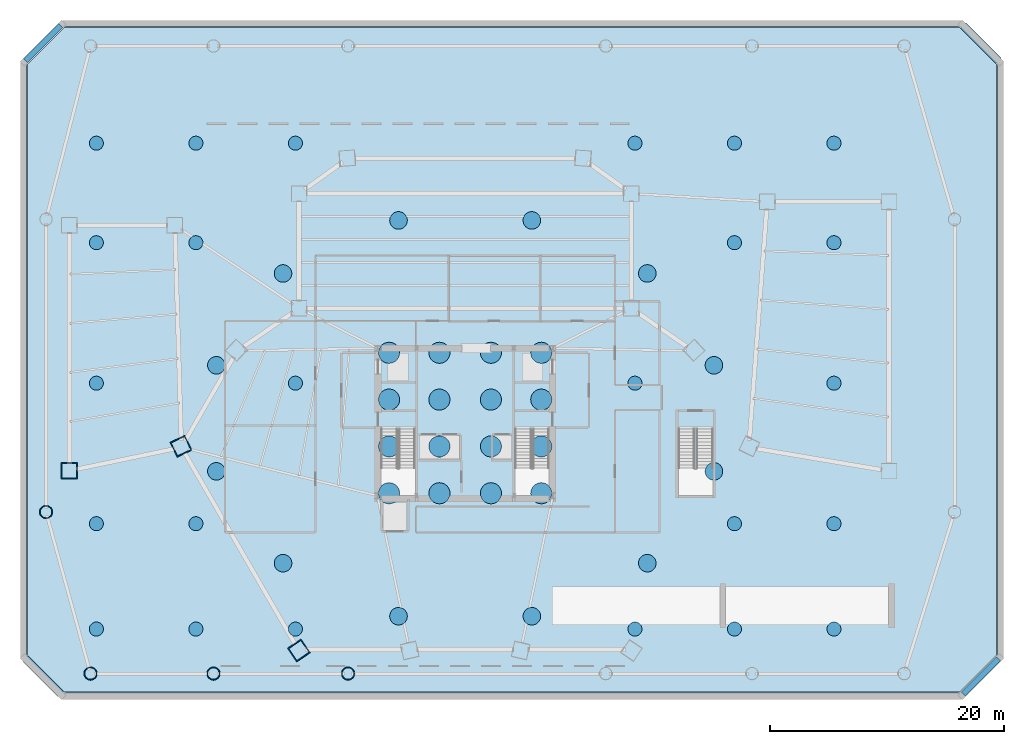
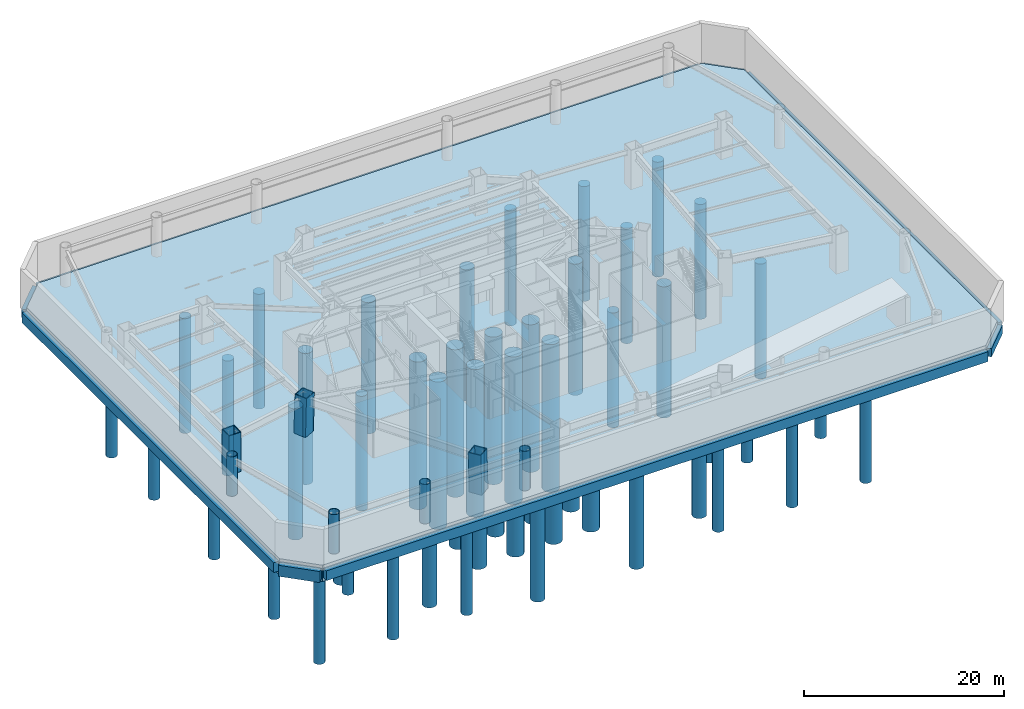
# One storey, part 1 of 11: 52 piles, 9 footings, 7 columns.
"""IFC4 building model written with IfcOpenShell, lengths in metres."""

import ifcopenshell
import ifcopenshell.guid

model = None  # the IFC model being written
_history = None  # IfcOwnerHistory: only IFC2X3 demands one
_inside = {}  # id of a spatial element -> (the spatial element, [elements in it])
_under = {}  # id of a project, library or spatial element -> (it, [spatial elements below it])
_declared = {}  # id of a project -> (the project, [libraries it declares])
_typed = {}  # id of a type object -> (the type object, [elements of that type])
_made_of = {}  # id of a material, layer set ... -> (it, [elements and type objects made of it])


def new_model(schema):
    """Start an empty IFC model of exactly this schema.

    Asked for "IFC4X3", IfcOpenShell would pick the latest addendum, in which some entities
    have other attributes; the version numbers below select the first issue.
    IFC2X3 requires an IfcOwnerHistory on every rooted entity: one is made here for all.
    """
    global model, _history
    if schema == "IFC4X3":
        model = ifcopenshell.file(schema_version=(4, 3, 0, 0))
    else:
        model = ifcopenshell.file(schema=schema)
    _inside.clear()
    _under.clear()
    _declared.clear()
    _typed.clear()
    _made_of.clear()
    _history = None
    if model.schema == "IFC2X3":
        org = make("IfcOrganization", Name="unknown")
        user = make(
            "IfcPersonAndOrganization",
            ThePerson=make("IfcPerson", FamilyName="unknown"),
            TheOrganization=org,
        )
        app = make(
            "IfcApplication",
            ApplicationDeveloper=org,
            Version="unknown",
            ApplicationFullName="unknown",
            ApplicationIdentifier="unknown",
        )
        _history = make(
            "IfcOwnerHistory",
            OwningUser=user,
            OwningApplication=app,
            ChangeAction="ADDED",
            CreationDate=0,
        )
    return model


def make(cls, **values):
    """One entity of the class cls with the attributes given. An attribute that is None is left unset."""
    return model.create_entity(
        cls, **{name: value for name, value in values.items() if value is not None}
    )


def rooted(cls, **values):
    """An entity with a GlobalId (a new one), such as an element, a storey or a relation."""
    return make(cls, GlobalId=ifcopenshell.guid.new(), OwnerHistory=_history, **values)


def si_unit(unit_type, name, prefix=None):
    """IfcSIUnit, for example si_unit("LENGTHUNIT", "METRE", prefix="MILLI")."""
    return make("IfcSIUnit", UnitType=unit_type, Prefix=prefix, Name=name)


def assignment(units):
    """IfcUnitAssignment: the units of a project."""
    return None if units is None else make("IfcUnitAssignment", Units=units)


def point(xyz):
    """IfcCartesianPoint."""
    return None if xyz is None else make("IfcCartesianPoint", Coordinates=xyz)


def direction(xyz):
    """IfcDirection."""
    return None if xyz is None else make("IfcDirection", DirectionRatios=xyz)


def frame(location, z_axis=None, x_axis=None):
    """IfcAxis2Placement3D, a coordinate frame: its origin and axes. An axis left out is left unset."""
    return make(
        "IfcAxis2Placement3D",
        Location=point(location),
        Axis=direction(z_axis),
        RefDirection=direction(x_axis),
    )


def frame_2d(location, x_axis=None):
    """IfcAxis2Placement2D, a coordinate frame in the plane: its origin and x axis."""
    return make(
        "IfcAxis2Placement2D", Location=point(location), RefDirection=direction(x_axis)
    )


def origin():
    """The frame at (0, 0, 0) with its axes left unset."""
    return frame((0.0, 0.0, 0.0))


def origin_2d():
    """The frame at (0, 0) in the plane with its x axis left unset."""
    return frame_2d((0.0, 0.0))


def place(relative_to, where):
    """IfcLocalPlacement: puts the frame where relative to a parent placement (None: the world)."""
    return make(
        "IfcLocalPlacement", PlacementRelTo=relative_to, RelativePlacement=where
    )


def context(
    kind, dimensions, precision=None, world=None, true_north=None, identifier=None
):
    """IfcGeometricRepresentationContext, for example the 3D "Model" context."""
    return make(
        "IfcGeometricRepresentationContext",
        ContextIdentifier=identifier,
        ContextType=kind,
        CoordinateSpaceDimension=dimensions,
        Precision=precision,
        WorldCoordinateSystem=world,
        TrueNorth=true_north,
    )


def subcontext(parent, identifier, kind, view, scale=None):
    """IfcGeometricRepresentationSubContext, for example "Body" below "Model"."""
    return make(
        "IfcGeometricRepresentationSubContext",
        ContextIdentifier=identifier,
        ContextType=kind,
        ParentContext=parent,
        TargetScale=scale,
        TargetView=view,
    )


def project(units=None, contexts=None):
    """IfcProject with its units and contexts."""
    return rooted(
        "IfcProject",
        Name="project",
        RepresentationContexts=contexts,
        UnitsInContext=assignment(units),
    )


def spatial(cls, under=None, at=None, **own):
    """A site, building, storey or space (cls), placed at a placement, below another one or the project."""
    s = rooted(cls, ObjectPlacement=at, **own)
    if under is not None:
        _under.setdefault(under.id(), (under, []))[1].append(s)
    return s


def polyline(points):
    """IfcPolyline through the points."""
    return make("IfcPolyline", Points=[point(p) for p in points])


def profile(cls, at=None, kind="AREA", **sizes):
    """A parametric profile (cls). Its sizes go by their IFC names, for example OverallWidth=200.0."""
    return make(cls, ProfileType=kind, Position=at, **sizes)


def rectangle(**sizes):
    """IfcRectangleProfileDef."""
    return profile("IfcRectangleProfileDef", **sizes)


def hollow_rectangle(**sizes):
    """IfcRectangleHollowProfileDef."""
    return profile("IfcRectangleHollowProfileDef", **sizes)


def circle(**sizes):
    """IfcCircleProfileDef."""
    return profile("IfcCircleProfileDef", **sizes)


def hollow_circle(**sizes):
    """IfcCircleHollowProfileDef."""
    return profile("IfcCircleHollowProfileDef", **sizes)


def outline(outer, holes=None, kind="AREA"):
    """IfcArbitraryClosedProfileDef: a profile drawn as a closed curve; with holes, ...WithVoids."""
    if holes is None:
        return make("IfcArbitraryClosedProfileDef", ProfileType=kind, OuterCurve=outer)
    return make(
        "IfcArbitraryProfileDefWithVoids",
        ProfileType=kind,
        OuterCurve=outer,
        InnerCurves=holes,
    )


def extrude(swept, where, along, depth):
    """IfcExtrudedAreaSolid: the profile swept, set in the frame where, extruded along a direction by depth."""
    return make(
        "IfcExtrudedAreaSolid",
        SweptArea=swept,
        Position=where,
        ExtrudedDirection=direction(along),
        Depth=depth,
    )


def shape(context_of_items, identifier, shape_type, items):
    """IfcShapeRepresentation: the items that make up one representation, for example the "Body"."""
    return make(
        "IfcShapeRepresentation",
        ContextOfItems=context_of_items,
        RepresentationIdentifier=identifier,
        RepresentationType=shape_type,
        Items=items,
    )


def source(mapping_origin, context_of_items, identifier, shape_type, items):
    """IfcRepresentationMap: a shape defined once, which mapped items show again and again."""
    return make(
        "IfcRepresentationMap",
        MappingOrigin=mapping_origin,
        MappedRepresentation=shape(context_of_items, identifier, shape_type, items),
    )


def transform(
    local_origin,
    x_axis=None,
    y_axis=None,
    z_axis=None,
    scale=None,
    scale2=None,
    scale3=None,
    uniform=True,
):
    """IfcCartesianTransformationOperator3D, or its non-uniform kind. x_axis, y_axis, z_axis: its Axis1, 2, 3."""
    if uniform:
        return make(
            "IfcCartesianTransformationOperator3D",
            Axis1=direction(x_axis),
            Axis2=direction(y_axis),
            LocalOrigin=point(local_origin),
            Scale=scale,
            Axis3=direction(z_axis),
        )
    return make(
        "IfcCartesianTransformationOperator3DnonUniform",
        Axis1=direction(x_axis),
        Axis2=direction(y_axis),
        LocalOrigin=point(local_origin),
        Scale=scale,
        Axis3=direction(z_axis),
        Scale2=scale2,
        Scale3=scale3,
    )


def mapped(mapping_source, mapping_target):
    """IfcMappedItem: shows the shape of a source again, moved by a transform."""
    return make(
        "IfcMappedItem", MappingSource=mapping_source, MappingTarget=mapping_target
    )


def material(Name=None, Category=None):
    """IfcMaterial."""
    return make("IfcMaterial", Name=Name, Category=Category)


def material_profile(
    of_material, cross_section, Name=None, Category=None, Priority=None
):
    """IfcMaterialProfile: a cross section and its material."""
    return make(
        "IfcMaterialProfile",
        Name=Name,
        Material=of_material,
        Profile=cross_section,
        Priority=Priority,
        Category=Category,
    )


def profile_set(profiles, Name=None, composite=None):
    """IfcMaterialProfileSet."""
    return make(
        "IfcMaterialProfileSet",
        Name=Name,
        MaterialProfiles=profiles,
        CompositeProfile=composite,
    )


def made_of(thing, what):
    """Note that an element or type object is made of a material, layer set ...; save() writes the relation."""
    if what is not None:
        _made_of.setdefault(what.id(), (what, []))[1].append(thing)
    return thing


def type_object(cls, material=None, **own):
    """A type object (cls), such as IfcWallType, which elements share."""
    return made_of(rooted(cls, **own), material)


def type_shapes(of_type, sources):
    """Give a type object the sources (RepresentationMaps) that its elements show as mapped items."""
    of_type.RepresentationMaps = sources


def element(
    cls,
    number,
    at=None,
    inside=None,
    cuts=None,
    type_object=None,
    material=None,
    context=None,
    identifier="Body",
    shape_type=None,
    held_by="IfcProductDefinitionShape",
    body=None,
    shapes=None,
    **own,
):
    """One element of the class cls, such as IfcWall. Its Tag is "e" and its number.

    at: its placement. inside: the storey or other place that contains it. cuts: it is an
    opening in that element (IfcRelVoidsElement). A single representation is given by context,
    identifier, shape_type and body (its items); several are given by shapes. held_by: the class
    of the entity that holds the representations. save() writes the other relations.
    """
    e = rooted(cls, Tag="e%d" % number, ObjectPlacement=at, **own)
    if body is not None:
        shapes = [shape(context, identifier, shape_type, body)]
    if shapes is not None:
        e.Representation = make(held_by, Representations=shapes)
    if inside is not None:
        _inside.setdefault(inside.id(), (inside, []))[1].append(e)
    if cuts is not None:
        rooted(
            "IfcRelVoidsElement", RelatingBuildingElement=cuts, RelatedOpeningElement=e
        )
    if type_object is not None:
        _typed.setdefault(type_object.id(), (type_object, []))[1].append(e)
    return made_of(e, material)


def aggregate(whole, parts):
    """IfcRelAggregates: a whole, such as a stair, and the parts it consists of."""
    return rooted("IfcRelAggregates", RelatingObject=whole, RelatedObjects=parts)


def save(model, path):
    """Write the relations noted so far, then the file.

    IfcRelAggregates (storeys below a building ...), IfcRelContainedInSpatialStructure (elements
    in a storey), IfcRelDefinesByType, IfcRelAssociatesMaterial and IfcRelDeclares: one each for
    every whole, place, type object, material and project.
    """
    for whole, parts in _under.values():
        aggregate(whole, parts)
    for where, things in _inside.values():
        rooted(
            "IfcRelContainedInSpatialStructure",
            RelatedElements=things,
            RelatingStructure=where,
        )
    for kind, things in _typed.values():
        rooted("IfcRelDefinesByType", RelatedObjects=things, RelatingType=kind)
    for what, things in _made_of.values():
        rooted("IfcRelAssociatesMaterial", RelatedObjects=things, RelatingMaterial=what)
    for by, libraries in _declared.values():
        rooted("IfcRelDeclares", RelatingContext=by, RelatedDefinitions=libraries)
    model.write(path)


model = new_model("IFC4")

# Units and contexts
model_context = context("Model", 3, precision=1e-05, world=origin(), true_north=direction((0.0, 1.0)))
body_context = subcontext(model_context, "Body", "Model", "MODEL_VIEW")
ifc_project = project(units=[si_unit("LENGTHUNIT", "METRE"), si_unit("AREAUNIT", "SQUARE_METRE"), si_unit("VOLUMEUNIT", "CUBIC_METRE"), si_unit("PLANEANGLEUNIT", "RADIAN"), si_unit("MASSUNIT", "GRAM", prefix="KILO")], contexts=[model_context])

# Site, building, storey
site_placement = place(None, origin())
site = spatial("IfcSite", under=ifc_project, at=site_placement, CompositionType="ELEMENT")
building_placement = place(site_placement, origin())
building = spatial("IfcBuilding", under=site, at=building_placement, Name="Caelisora Broadcast Tower", CompositionType="ELEMENT")
storey_placement = place(building_placement, frame((0.0, 0.0, -4.800048828125)))
storey = spatial("IfcBuildingStorey", under=building, at=storey_placement, Name="B1", CompositionType="ELEMENT", Elevation=-4.800048828125)

# Footing
ifc_material_1 = material(Name="Concrete 50 MPa (AS 3600 S50)", Category="concrete")
footing_type_1 = type_object("IfcFootingType", Name="FT-RAFT", PredefinedType="PILE_CAP", material=ifc_material_1)
footing_placement = place(storey_placement, frame((0.0, 0.0, -2.0)))
element("IfcFooting", 1, at=footing_placement, inside=storey, type_object=footing_type_1, Name="B1 piled raft foundation FT-RAFT", PredefinedType="PILE_CAP", context=body_context, shape_type="SweptSolid", body=[
    extrude(outline(polyline([(3.757080078125, 0.6201171875), (0.6201171875, 3.757080078125), (0.6201171875, 54.242919921875), (3.757080078125, 57.3798828125), (80.242919921875, 57.3798828125), (83.3798828125, 54.242919921875), (83.3798828125, 3.757080078125), (80.242919921875, 0.6201171875), (3.757080078125, 0.6201171875)])), origin(), (0.0, 0.0, 1.0), 2.0),
])

# Piles
ifc_material_profile_1 = material_profile(ifc_material_1, circle(Radius=0.60009765625, at=origin_2d()), Name="Concrete 50 MPa (AS 3600 S50)")
ifc_profile_set_1 = profile_set([ifc_material_profile_1], Name="Concrete 50 MPa (AS 3600 S50)")
pile_type_1 = type_object("IfcPileType", Name="PL-12", PredefinedType="BORED", material=ifc_profile_set_1)
for number, where, z_axis, x_axis, name in (
    (2, (6.5, 6.0, -1.89990234375), (0.0, 0.0, -1.0), (1.0, 0.0, 0.0), "B1 bored pile PL-12 #29"),
    (3, (6.5, 15.0, -1.89990234375), (0.0, 0.0, -1.0), (1.0, 0.0, 0.0), "B1 bored pile PL-12 #30"),
    (4, (6.5, 27.0, -1.89990234375), (0.0, 0.0, -1.0), (1.0, 0.0, 0.0), "B1 bored pile PL-12 #31"),
    (5, (6.5, 39.0, -1.89990234375), (0.0, 0.0, -1.0), (1.0, 0.0, 0.0), "B1 bored pile PL-12 #32"),
    (6, (6.5, 47.5, -1.89990234375), (0.0, 0.0, -1.0), (1.0, 0.0, 0.0), "B1 bored pile PL-12 #33"),
    (7, (15.0, 6.0, -1.89990234375), (0.0, 0.0, -1.0), (1.0, 0.0, 0.0), "B1 bored pile PL-12 #34"),
    (8, (15.0, 15.0, -1.89990234375), (0.0, 0.0, -1.0), (1.0, 0.0, 0.0), "B1 bored pile PL-12 #35"),
    (9, (15.0, 39.0, -1.89990234375), (0.0, 0.0, -1.0), (1.0, 0.0, 0.0), "B1 bored pile PL-12 #36"),
    (10, (15.0, 47.5, -1.89990234375), (0.0, 0.0, -1.0), (1.0, 0.0, 0.0), "B1 bored pile PL-12 #37"),
    (11, (23.5, 6.0, -1.89990234375), (0.0, 0.0, -1.0), (1.0, 0.0, 0.0), "B1 bored pile PL-12 #38"),
    (12, (23.5, 27.0, -1.89990234375), (0.0, 0.0, -1.0), (1.0, 0.0, 0.0), "B1 bored pile PL-12 #39"),
    (13, (23.5, 47.5, -1.89990234375), (0.0, 0.0, -1.0), (1.0, 0.0, 0.0), "B1 bored pile PL-12 #40"),
    (14, (52.5, 6.0, -1.89990234375), (0.0, 0.0, -1.0), (1.0, 0.0, 0.0), "B1 bored pile PL-12 #41"),
    (15, (52.5, 27.0, -1.89990234375), (0.0, 0.0, -1.0), (1.0, 0.0, 0.0), "B1 bored pile PL-12 #42"),
    (16, (52.5, 47.5, -1.89990234375), (0.0, 0.0, -1.0), (1.0, 0.0, 0.0), "B1 bored pile PL-12 #43"),
    (17, (61.0, 6.0, -1.89990234375), (0.0, 0.0, -1.0), (1.0, 0.0, 0.0), "B1 bored pile PL-12 #44"),
    (18, (61.0, 15.0, -1.89990234375), (0.0, 0.0, -1.0), (1.0, 0.0, 0.0), "B1 bored pile PL-12 #45"),
    (19, (61.0, 39.0, -1.89990234375), (0.0, 0.0, -1.0), (1.0, 0.0, 0.0), "B1 bored pile PL-12 #46"),
    (20, (61.0, 47.5, -1.89990234375), (0.0, 0.0, -1.0), (1.0, 0.0, 0.0), "B1 bored pile PL-12 #47"),
    (21, (69.5, 6.0, -1.89990234375), (0.0, 0.0, -1.0), (1.0, 0.0, 0.0), "B1 bored pile PL-12 #48"),
    (22, (69.5, 15.0, -1.89990234375), (0.0, 0.0, -1.0), (1.0, 0.0, 0.0), "B1 bored pile PL-12 #49"),
    (23, (69.5, 27.0, -1.89990234375), (0.0, 0.0, -1.0), (1.0, 0.0, 0.0), "B1 bored pile PL-12 #50"),
    (24, (69.5, 39.0, -1.89990234375), (0.0, 0.0, -1.0), (1.0, 0.0, 0.0), "B1 bored pile PL-12 #51"),
    (25, (69.5, 47.5, -1.89990234375), (0.0, 0.0, -1.0), (1.0, 0.0, 0.0), "B1 bored pile PL-12 #52"),
):
    element("IfcPile", number, at=place(storey_placement, frame(where, z_axis=z_axis, x_axis=x_axis)), inside=storey, type_object=pile_type_1, Name=name, PredefinedType="BORED", context=body_context, shape_type="SweptSolid", body=[
        extrude(circle(Radius=0.60009765625, at=origin_2d()), origin(), (0.0, 0.0, 1.0), 14.0),
    ])
ifc_material_profile_2 = material_profile(ifc_material_1, circle(Radius=0.75, at=origin_2d()), Name="Concrete 50 MPa (AS 3600 S50)")
ifc_profile_set_2 = profile_set([ifc_material_profile_2], Name="Concrete 50 MPa (AS 3600 S50)")
pile_type_2 = type_object("IfcPileType", Name="PL-15", PredefinedType="BORED", material=ifc_profile_set_2)
for number, where, z_axis, x_axis, name in (
    (26, (59.25, 28.529052734375, -1.89990234375), (0.0, 0.0, -1.0), (1.0, 0.0, 0.0), "B1 bored pile PL-15 #17"),
    (27, (53.555908203125, 36.3740234375, -1.89990234375), (0.0, 0.0, -1.0), (1.0, 0.0, 0.0), "B1 bored pile PL-15 #18"),
    (28, (43.694091796875, 40.904052734375, -1.89990234375), (0.0, 0.0, -1.0), (1.0, 0.0, 0.0), "B1 bored pile PL-15 #19"),
    (29, (32.305908203125, 40.904052734375, -1.89990234375), (0.0, 0.0, -1.0), (1.0, 0.0, 0.0), "B1 bored pile PL-15 #20"),
    (30, (22.444091796875, 36.3740234375, -1.89990234375), (0.0, 0.0, -1.0), (1.0, 0.0, 0.0), "B1 bored pile PL-15 #21"),
    (31, (16.75, 28.529052734375, -1.89990234375), (0.0, 0.0, -1.0), (1.0, 0.0, 0.0), "B1 bored pile PL-15 #22"),
    (32, (16.75, 19.470947265625, -1.89990234375), (0.0, 0.0, -1.0), (1.0, 0.0, 0.0), "B1 bored pile PL-15 #23"),
    (33, (22.444091796875, 11.6259765625, -1.89990234375), (0.0, 0.0, -1.0), (1.0, 0.0, 0.0), "B1 bored pile PL-15 #24"),
    (34, (32.305908203125, 7.095947265625, -1.89990234375), (0.0, 0.0, -1.0), (1.0, 0.0, 0.0), "B1 bored pile PL-15 #25"),
    (35, (43.694091796875, 7.095947265625, -1.89990234375), (0.0, 0.0, -1.0), (1.0, 0.0, 0.0), "B1 bored pile PL-15 #26"),
    (36, (53.555908203125, 11.6259765625, -1.89990234375), (0.0, 0.0, -1.0), (1.0, 0.0, 0.0), "B1 bored pile PL-15 #27"),
    (37, (59.25, 19.470947265625, -1.89990234375), (0.0, 0.0, -1.0), (1.0, 0.0, 0.0), "B1 bored pile PL-15 #28"),
):
    element("IfcPile", number, at=place(storey_placement, frame(where, z_axis=z_axis, x_axis=x_axis)), inside=storey, type_object=pile_type_2, Name=name, PredefinedType="BORED", context=body_context, shape_type="SweptSolid", body=[
        extrude(circle(Radius=0.75, at=origin_2d()), origin(), (0.0, 0.0, 1.0), 16.0),
    ])
ifc_material_profile_3 = material_profile(ifc_material_1, circle(Radius=0.89990234375, at=origin_2d()), Name="Concrete 50 MPa (AS 3600 S50)")
ifc_profile_set_3 = profile_set([ifc_material_profile_3], Name="Concrete 50 MPa (AS 3600 S50)")
pile_type_3 = type_object("IfcPileType", Name="PL-18", PredefinedType="BORED", material=ifc_profile_set_3)
for number, where, z_axis, x_axis, name in (
    (38, (31.5, 17.60009765625, -1.89990234375), (0.0, 0.0, -1.0), (1.0, 0.0, 0.0), "B1 bored pile PL-18 #01"),
    (39, (31.5, 21.60009765625, -1.89990234375), (0.0, 0.0, -1.0), (1.0, 0.0, 0.0), "B1 bored pile PL-18 #02"),
    (40, (31.5, 25.60009765625, -1.89990234375), (0.0, 0.0, -1.0), (1.0, 0.0, 0.0), "B1 bored pile PL-18 #03"),
    (41, (31.5, 29.60009765625, -1.89990234375), (0.0, 0.0, -1.0), (1.0, 0.0, 0.0), "B1 bored pile PL-18 #04"),
    (42, (35.800048828125, 17.60009765625, -1.89990234375), (0.0, 0.0, -1.0), (1.0, 0.0, 0.0), "B1 bored pile PL-18 #05"),
    (43, (35.800048828125, 21.60009765625, -1.89990234375), (0.0, 0.0, -1.0), (1.0, 0.0, 0.0), "B1 bored pile PL-18 #06"),
    (44, (35.800048828125, 25.60009765625, -1.89990234375), (0.0, 0.0, -1.0), (1.0, 0.0, 0.0), "B1 bored pile PL-18 #07"),
    (45, (35.800048828125, 29.60009765625, -1.89990234375), (0.0, 0.0, -1.0), (1.0, 0.0, 0.0), "B1 bored pile PL-18 #08"),
    (46, (40.199951171875, 17.60009765625, -1.89990234375), (0.0, 0.0, -1.0), (1.0, 0.0, 0.0), "B1 bored pile PL-18 #09"),
    (47, (40.199951171875, 21.60009765625, -1.89990234375), (0.0, 0.0, -1.0), (1.0, 0.0, 0.0), "B1 bored pile PL-18 #10"),
    (48, (40.199951171875, 25.60009765625, -1.89990234375), (0.0, 0.0, -1.0), (1.0, 0.0, 0.0), "B1 bored pile PL-18 #11"),
    (49, (40.199951171875, 29.60009765625, -1.89990234375), (0.0, 0.0, -1.0), (1.0, 0.0, 0.0), "B1 bored pile PL-18 #12"),
    (50, (44.5, 17.60009765625, -1.89990234375), (0.0, 0.0, -1.0), (1.0, 0.0, 0.0), "B1 bored pile PL-18 #13"),
    (51, (44.5, 21.60009765625, -1.89990234375), (0.0, 0.0, -1.0), (1.0, 0.0, 0.0), "B1 bored pile PL-18 #14"),
    (52, (44.5, 25.60009765625, -1.89990234375), (0.0, 0.0, -1.0), (1.0, 0.0, 0.0), "B1 bored pile PL-18 #15"),
    (53, (44.5, 29.60009765625, -1.89990234375), (0.0, 0.0, -1.0), (1.0, 0.0, 0.0), "B1 bored pile PL-18 #16"),
):
    element("IfcPile", number, at=place(storey_placement, frame(where, z_axis=z_axis, x_axis=x_axis)), inside=storey, type_object=pile_type_3, Name=name, PredefinedType="BORED", context=body_context, shape_type="SweptSolid", body=[
        extrude(circle(Radius=0.89990234375, at=origin_2d()), origin(), (0.0, 0.0, 1.0), 18.0),
    ])

# Footings
ifc_material_2 = material(Name="Concrete 40 MPa (AS 3600 N40)", Category="concrete")
footing_type_2 = type_object("IfcFootingType", Name="FT-GB1", PredefinedType="FOOTING_BEAM", material=ifc_material_2)
shared_shape_1 = source(origin(), body_context, "Body", "SweptSolid", [
    extrude(rectangle(XDim=76.300048828125, YDim=0.580078125, at=origin_2d()), origin(), (0.0, 0.0, 1.0), 1.199951171875),
])
for number, where, z_axis, x_axis, name in (
    (54, (42.0, 0.2900390625, -1.5498046875), (0.0, 0.0, 1.0), (1.0, 0.0, 0.0), "B1 perimeter ground beam FT-GB1 #1"),
    (55, (42.0, 57.7099609375, -1.5498046875), (0.0, 0.0, 1.0), (-1.0, 0.0, 0.0), "B1 perimeter ground beam FT-GB1 #5"),
):
    element("IfcFooting", number, at=place(storey_placement, frame(where, z_axis=z_axis, x_axis=x_axis)), inside=storey, type_object=footing_type_2, Name=name, PredefinedType="FOOTING_BEAM", context=body_context, shape_type="MappedRepresentation", body=[
        mapped(shared_shape_1, transform((0.0, 0.0, 0.0), scale=1.0)),
    ])
footing_type_3 = type_object("IfcFootingType", Name="FT-GB2", PredefinedType="FOOTING_BEAM", material=ifc_material_2)
shared_shape_2 = source(origin(), body_context, "Body", "SweptSolid", [
    extrude(rectangle(XDim=4.249755859375, YDim=0.5, at=origin_2d()), origin(), (0.0, 0.0, 1.0), 1.0),
])
type_shapes(footing_type_3, [shared_shape_2])
for number, where, z_axis, x_axis, name in (
    (56, (82.044921875, 1.955078125, -1.349853515625), (0.0, 0.0, 1.0), (0.707106781187, 0.707106781187, 0.0), "B1 perimeter ground beam FT-GB2 #2"),
    (57, (1.955078125, 56.044921875, -1.349853515625), (0.0, 0.0, 1.0), (-0.707106781187, -0.707106781187, 0.0), "B1 perimeter ground beam FT-GB2 #6"),
):
    element("IfcFooting", number, at=place(storey_placement, frame(where, z_axis=z_axis, x_axis=x_axis)), inside=storey, type_object=footing_type_3, Name=name, PredefinedType="FOOTING_BEAM", context=body_context, shape_type="MappedRepresentation", body=[
        mapped(shared_shape_2, transform((0.0, 0.0, 0.0), scale=1.0)),
    ])
shared_shape_3 = source(origin(), body_context, "Body", "SweptSolid", [
    extrude(rectangle(XDim=50.300048828125, YDim=0.580078125, at=origin_2d()), origin(), (0.0, 0.0, 1.0), 1.199951171875),
])
type_shapes(footing_type_2, [shared_shape_1, shared_shape_3])
for number, where, z_axis, x_axis, name in (
    (58, (83.7099609375, 29.0, -1.5498046875), (0.0, 0.0, 1.0), (0.0, 1.0, 0.0), "B1 perimeter ground beam FT-GB1 #3"),
    (59, (0.2900390625, 29.0, -1.5498046875), (0.0, 0.0, 1.0), (0.0, -1.0, 0.0), "B1 perimeter ground beam FT-GB1 #7"),
):
    element("IfcFooting", number, at=place(storey_placement, frame(where, z_axis=z_axis, x_axis=x_axis)), inside=storey, type_object=footing_type_2, Name=name, PredefinedType="FOOTING_BEAM", context=body_context, shape_type="MappedRepresentation", body=[
        mapped(shared_shape_3, transform((0.0, 0.0, 0.0), scale=1.0)),
    ])
footing_type_4 = type_object("IfcFootingType", Name="FT-GB3", PredefinedType="FOOTING_BEAM", material=ifc_material_2)
shared_shape_4 = source(origin(), body_context, "Body", "SweptSolid", [
    extrude(rectangle(XDim=4.249755859375, YDim=0.64990234375, at=origin_2d()), origin(), (0.0, 0.0, 1.0), 1.35009765625),
])
type_shapes(footing_type_4, [shared_shape_4])
for number, where, z_axis, x_axis, name in (
    (60, (82.044921875, 56.044921875, -1.699951171875), (0.0, 0.0, 1.0), (-0.707106781187, 0.707106781187, 0.0), "B1 perimeter ground beam FT-GB3 #4"),
    (61, (1.955078125, 1.955078125, -1.699951171875), (0.0, 0.0, 1.0), (0.707106781187, -0.707106781187, 0.0), "B1 perimeter ground beam FT-GB3 #8"),
):
    element("IfcFooting", number, at=place(storey_placement, frame(where, z_axis=z_axis, x_axis=x_axis)), inside=storey, type_object=footing_type_4, Name=name, PredefinedType="FOOTING_BEAM", context=body_context, shape_type="MappedRepresentation", body=[
        mapped(shared_shape_4, transform((0.0, 0.0, 0.0), scale=1.0)),
    ])

# Columns
ifc_material_3 = material(Name="Steel Grade 350 L15 (AS/NZS 3678)", Category="steel")
ifc_material_profile_4 = material_profile(ifc_material_3, hollow_rectangle(XDim=1.39990234375, YDim=1.39990234375, WallThickness=0.080078125, at=origin_2d()), Name="Steel Grade 350 L15 (AS/NZS 3678)")
ifc_profile_set_4 = profile_set([ifc_material_profile_4], Name="Steel Grade 350 L15 (AS/NZS 3678)")
column_type_1 = type_object("IfcColumnType", Name="MC01", PredefinedType="COLUMN", material=ifc_profile_set_4)
shared_shape_5 = source(origin(), body_context, "Body", "SweptSolid", [
    extrude(hollow_rectangle(XDim=1.39990234375, YDim=1.39990234375, WallThickness=0.080078125, at=origin_2d()), origin(), (0.0, 0.0, 1.0), 4.801513671875),
])
for number, where, z_axis, x_axis, name in (
    (62, (13.718505859375, 21.626708984375, 0.0), (0.01042374304, -0.021559351459, 0.999713228854), (0.900293483537, 0.435283405956, 0.0), "B1 column MC01"),
    (63, (23.8037109375, 4.158203125, 0.0), (-0.013423747222, 0.019830535668, 0.999713235316), (-0.828109472136, -0.560566411907, 0.0), "B1 column MC01"),
):
    element("IfcColumn", number, at=place(storey_placement, frame(where, z_axis=z_axis, x_axis=x_axis)), inside=storey, type_object=column_type_1, Name=name, PredefinedType="COLUMN", context=body_context, shape_type="MappedRepresentation", body=[
        mapped(shared_shape_5, transform((0.0, 0.0, 0.0), scale=1.0)),
    ])
shared_shape_6 = source(origin(), body_context, "Body", "SweptSolid", [
    extrude(hollow_rectangle(XDim=1.39990234375, YDim=1.39990234375, WallThickness=0.080078125, at=origin_2d()), origin(), (0.0, 0.0, 1.0), 4.800048828125),
])
type_shapes(column_type_1, [shared_shape_5, shared_shape_6])
column_placement = place(storey_placement, frame((4.199951171875, 19.52587890625, 0.0), z_axis=(0.0, 0.0, 1.0), x_axis=(1.0, 0.0, 0.0)))
element("IfcColumn", 64, at=column_placement, inside=storey, type_object=column_type_1, Name="B1 column MC01", PredefinedType="COLUMN", context=body_context, shape_type="MappedRepresentation", body=[
    mapped(shared_shape_6, transform((0.0, 0.0, 0.0), scale=1.0)),
])
ifc_material_profile_5 = material_profile(ifc_material_3, hollow_circle(Radius=0.550048828125, WallThickness=0.044921875, at=origin_2d()), Name="Steel Grade 350 L15 (AS/NZS 3678)")
ifc_profile_set_5 = profile_set([ifc_material_profile_5], Name="Steel Grade 350 L15 (AS/NZS 3678)")
column_type_2 = type_object("IfcColumnType", Name="PC01", PredefinedType="COLUMN", material=ifc_profile_set_5)
shared_shape_7 = source(origin(), body_context, "Body", "SweptSolid", [
    extrude(hollow_circle(Radius=0.550048828125, WallThickness=0.044921875, at=origin_2d()), origin(), (0.0, 0.0, 1.0), 4.800048828125),
])
type_shapes(column_type_2, [shared_shape_7])
for number, where, z_axis, x_axis, name in (
    (65, (6.0, 2.199951171875, 0.0), (0.0, 0.0, 1.0), (1.0, 0.0, 0.0), "B1 column PC01"),
    (66, (16.5, 2.199951171875, 0.0), (0.0, 0.0, 1.0), (1.0, 0.0, 0.0), "B1 column PC01"),
    (67, (28.0, 2.199951171875, 0.0), (0.0, 0.0, 1.0), (1.0, 0.0, 0.0), "B1 column PC01"),
    (68, (2.199951171875, 16.0, 0.0), (0.0, 0.0, 1.0), (1.0, 0.0, 0.0), "B1 column PC01"),
):
    element("IfcColumn", number, at=place(storey_placement, frame(where, z_axis=z_axis, x_axis=x_axis)), inside=storey, type_object=column_type_2, Name=name, PredefinedType="COLUMN", context=body_context, shape_type="MappedRepresentation", body=[
        mapped(shared_shape_7, transform((0.0, 0.0, 0.0), scale=1.0)),
    ])

save(model, "model.ifc")
